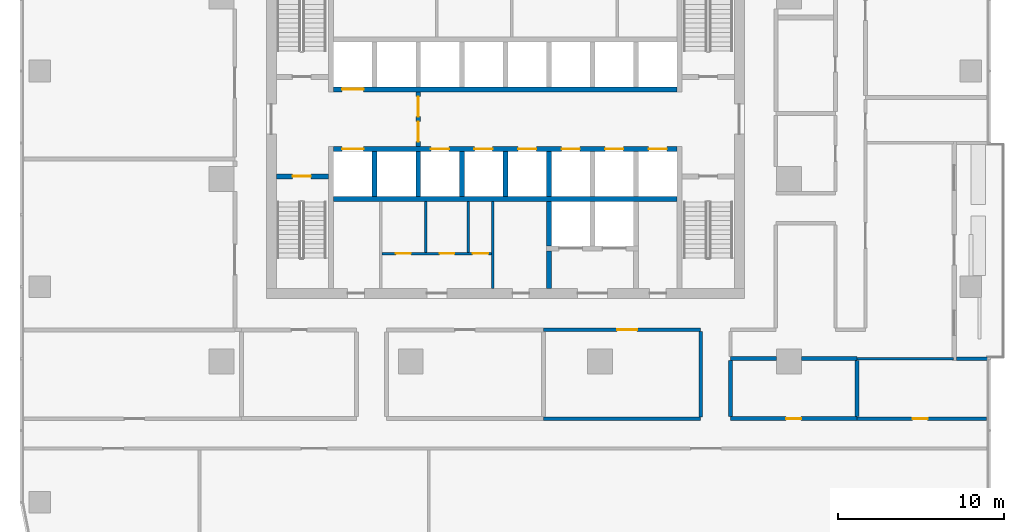
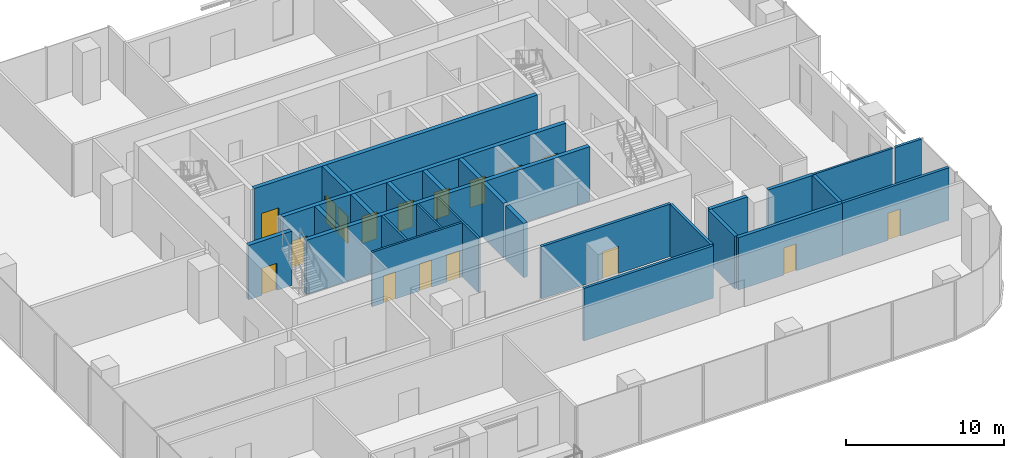
# One storey, part 8 of 14: 27 walls, 17 doors, 17 openings.
"""IFC4 building model written with IfcOpenShell, lengths in metres."""

import ifcopenshell
import ifcopenshell.guid

model = None  # the IFC model being written
_history = None  # IfcOwnerHistory: only IFC2X3 demands one
_inside = {}  # id of a spatial element -> (the spatial element, [elements in it])
_under = {}  # id of a project, library or spatial element -> (it, [spatial elements below it])
_declared = {}  # id of a project -> (the project, [libraries it declares])
_typed = {}  # id of a type object -> (the type object, [elements of that type])
_made_of = {}  # id of a material, layer set ... -> (it, [elements and type objects made of it])


def new_model(schema):
    """Start an empty IFC model of exactly this schema.

    Asked for "IFC4X3", IfcOpenShell would pick the latest addendum, in which some entities
    have other attributes; the version numbers below select the first issue.
    IFC2X3 requires an IfcOwnerHistory on every rooted entity: one is made here for all.
    """
    global model, _history
    if schema == "IFC4X3":
        model = ifcopenshell.file(schema_version=(4, 3, 0, 0))
    else:
        model = ifcopenshell.file(schema=schema)
    _inside.clear()
    _under.clear()
    _declared.clear()
    _typed.clear()
    _made_of.clear()
    _history = None
    if model.schema == "IFC2X3":
        org = make("IfcOrganization", Name="unknown")
        user = make(
            "IfcPersonAndOrganization",
            ThePerson=make("IfcPerson", FamilyName="unknown"),
            TheOrganization=org,
        )
        app = make(
            "IfcApplication",
            ApplicationDeveloper=org,
            Version="unknown",
            ApplicationFullName="unknown",
            ApplicationIdentifier="unknown",
        )
        _history = make(
            "IfcOwnerHistory",
            OwningUser=user,
            OwningApplication=app,
            ChangeAction="ADDED",
            CreationDate=0,
        )
    return model


def make(cls, **values):
    """One entity of the class cls with the attributes given. An attribute that is None is left unset."""
    return model.create_entity(
        cls, **{name: value for name, value in values.items() if value is not None}
    )


def rooted(cls, **values):
    """An entity with a GlobalId (a new one), such as an element, a storey or a relation."""
    return make(cls, GlobalId=ifcopenshell.guid.new(), OwnerHistory=_history, **values)


def si_unit(unit_type, name, prefix=None):
    """IfcSIUnit, for example si_unit("LENGTHUNIT", "METRE", prefix="MILLI")."""
    return make("IfcSIUnit", UnitType=unit_type, Prefix=prefix, Name=name)


def assignment(units):
    """IfcUnitAssignment: the units of a project."""
    return None if units is None else make("IfcUnitAssignment", Units=units)


def point(xyz):
    """IfcCartesianPoint."""
    return None if xyz is None else make("IfcCartesianPoint", Coordinates=xyz)


def direction(xyz):
    """IfcDirection."""
    return None if xyz is None else make("IfcDirection", DirectionRatios=xyz)


def frame(location, z_axis=None, x_axis=None):
    """IfcAxis2Placement3D, a coordinate frame: its origin and axes. An axis left out is left unset."""
    return make(
        "IfcAxis2Placement3D",
        Location=point(location),
        Axis=direction(z_axis),
        RefDirection=direction(x_axis),
    )


def frame_2d(location, x_axis=None):
    """IfcAxis2Placement2D, a coordinate frame in the plane: its origin and x axis."""
    return make(
        "IfcAxis2Placement2D", Location=point(location), RefDirection=direction(x_axis)
    )


def origin():
    """The frame at (0, 0, 0) with its axes left unset."""
    return frame((0.0, 0.0, 0.0))


def place(relative_to, where):
    """IfcLocalPlacement: puts the frame where relative to a parent placement (None: the world)."""
    return make(
        "IfcLocalPlacement", PlacementRelTo=relative_to, RelativePlacement=where
    )


def context(
    kind, dimensions, precision=None, world=None, true_north=None, identifier=None
):
    """IfcGeometricRepresentationContext, for example the 3D "Model" context."""
    return make(
        "IfcGeometricRepresentationContext",
        ContextIdentifier=identifier,
        ContextType=kind,
        CoordinateSpaceDimension=dimensions,
        Precision=precision,
        WorldCoordinateSystem=world,
        TrueNorth=true_north,
    )


def subcontext(parent, identifier, kind, view, scale=None):
    """IfcGeometricRepresentationSubContext, for example "Body" below "Model"."""
    return make(
        "IfcGeometricRepresentationSubContext",
        ContextIdentifier=identifier,
        ContextType=kind,
        ParentContext=parent,
        TargetScale=scale,
        TargetView=view,
    )


def project(units=None, contexts=None):
    """IfcProject with its units and contexts."""
    return rooted(
        "IfcProject",
        Name="project",
        RepresentationContexts=contexts,
        UnitsInContext=assignment(units),
    )


def spatial(cls, under=None, at=None, **own):
    """A site, building, storey or space (cls), placed at a placement, below another one or the project."""
    s = rooted(cls, ObjectPlacement=at, **own)
    if under is not None:
        _under.setdefault(under.id(), (under, []))[1].append(s)
    return s


def profile(cls, at=None, kind="AREA", **sizes):
    """A parametric profile (cls). Its sizes go by their IFC names, for example OverallWidth=200.0."""
    return make(cls, ProfileType=kind, Position=at, **sizes)


def rectangle(**sizes):
    """IfcRectangleProfileDef."""
    return profile("IfcRectangleProfileDef", **sizes)


def extrude(swept, where, along, depth):
    """IfcExtrudedAreaSolid: the profile swept, set in the frame where, extruded along a direction by depth."""
    return make(
        "IfcExtrudedAreaSolid",
        SweptArea=swept,
        Position=where,
        ExtrudedDirection=direction(along),
        Depth=depth,
    )


def shape(context_of_items, identifier, shape_type, items):
    """IfcShapeRepresentation: the items that make up one representation, for example the "Body"."""
    return make(
        "IfcShapeRepresentation",
        ContextOfItems=context_of_items,
        RepresentationIdentifier=identifier,
        RepresentationType=shape_type,
        Items=items,
    )


def material(Name=None, Category=None):
    """IfcMaterial."""
    return make("IfcMaterial", Name=Name, Category=Category)


def layer(
    of_material, thickness, ventilated=None, Name=None, Category=None, Priority=None
):
    """IfcMaterialLayer: one layer of a wall or slab, of a material (None: an air gap)."""
    return make(
        "IfcMaterialLayer",
        Material=of_material,
        LayerThickness=thickness,
        IsVentilated=ventilated,
        Name=Name,
        Category=Category,
        Priority=Priority,
    )


def layer_set(layers, Name=None):
    """IfcMaterialLayerSet."""
    return make("IfcMaterialLayerSet", MaterialLayers=layers, LayerSetName=Name)


def made_of(thing, what):
    """Note that an element or type object is made of a material, layer set ...; save() writes the relation."""
    if what is not None:
        _made_of.setdefault(what.id(), (what, []))[1].append(thing)
    return thing


def type_object(cls, material=None, **own):
    """A type object (cls), such as IfcWallType, which elements share."""
    return made_of(rooted(cls, **own), material)


def element(
    cls,
    number,
    at=None,
    inside=None,
    cuts=None,
    type_object=None,
    material=None,
    context=None,
    identifier="Body",
    shape_type=None,
    held_by="IfcProductDefinitionShape",
    body=None,
    shapes=None,
    **own,
):
    """One element of the class cls, such as IfcWall. Its Tag is "e" and its number.

    at: its placement. inside: the storey or other place that contains it. cuts: it is an
    opening in that element (IfcRelVoidsElement). A single representation is given by context,
    identifier, shape_type and body (its items); several are given by shapes. held_by: the class
    of the entity that holds the representations. save() writes the other relations.
    """
    e = rooted(cls, Tag="e%d" % number, ObjectPlacement=at, **own)
    if body is not None:
        shapes = [shape(context, identifier, shape_type, body)]
    if shapes is not None:
        e.Representation = make(held_by, Representations=shapes)
    if inside is not None:
        _inside.setdefault(inside.id(), (inside, []))[1].append(e)
    if cuts is not None:
        rooted(
            "IfcRelVoidsElement", RelatingBuildingElement=cuts, RelatedOpeningElement=e
        )
    if type_object is not None:
        _typed.setdefault(type_object.id(), (type_object, []))[1].append(e)
    return made_of(e, material)


def fill(opening, filler):
    """IfcRelFillsElement: the door or window that sits in an opening."""
    return rooted(
        "IfcRelFillsElement",
        RelatingOpeningElement=opening,
        RelatedBuildingElement=filler,
    )


def aggregate(whole, parts):
    """IfcRelAggregates: a whole, such as a stair, and the parts it consists of."""
    return rooted("IfcRelAggregates", RelatingObject=whole, RelatedObjects=parts)


def save(model, path):
    """Write the relations noted so far, then the file.

    IfcRelAggregates (storeys below a building ...), IfcRelContainedInSpatialStructure (elements
    in a storey), IfcRelDefinesByType, IfcRelAssociatesMaterial and IfcRelDeclares: one each for
    every whole, place, type object, material and project.
    """
    for whole, parts in _under.values():
        aggregate(whole, parts)
    for where, things in _inside.values():
        rooted(
            "IfcRelContainedInSpatialStructure",
            RelatedElements=things,
            RelatingStructure=where,
        )
    for kind, things in _typed.values():
        rooted("IfcRelDefinesByType", RelatedObjects=things, RelatingType=kind)
    for what, things in _made_of.values():
        rooted("IfcRelAssociatesMaterial", RelatedObjects=things, RelatingMaterial=what)
    for by, libraries in _declared.values():
        rooted("IfcRelDeclares", RelatingContext=by, RelatedDefinitions=libraries)
    model.write(path)


model = new_model("IFC4")

# Units and contexts
model_context = context("Model", 3, precision=1e-05, world=origin(), true_north=direction((0.0, 1.0)))
body_context = subcontext(model_context, "Body", "Model", "MODEL_VIEW")
ifc_project = project(units=[si_unit("LENGTHUNIT", "METRE"), si_unit("AREAUNIT", "SQUARE_METRE"), si_unit("VOLUMEUNIT", "CUBIC_METRE"), si_unit("PLANEANGLEUNIT", "RADIAN"), si_unit("MASSUNIT", "GRAM", prefix="KILO")], contexts=[model_context])

# Site, building, storey
site_placement = place(None, origin())
site = spatial("IfcSite", under=ifc_project, at=site_placement, CompositionType="ELEMENT")
building_placement = place(site_placement, origin())
building = spatial("IfcBuilding", under=site, at=building_placement, Name="Mopane Tessera Tower", CompositionType="ELEMENT")
storey_placement = place(building_placement, frame((0.0, 0.0, 130.60009765625)))
storey = spatial("IfcBuildingStorey", under=building, at=storey_placement, Name="L26", CompositionType="ELEMENT", Elevation=130.60009765625)

# Wall, openings, doors
ifc_material_1 = material(Name="Fire-rated gypsum board partition")
ifc_layer_1 = layer(ifc_material_1, 0.14990234375)
ifc_layer_set_1 = layer_set([ifc_layer_1], Name="Fire-rated gypsum board partition")
wall_type_1 = type_object("IfcWallType", Name="Core room partition 150 mm", PredefinedType="PARTITIONING", material=ifc_layer_set_1)
wall_1_placement = place(storey_placement, frame((-7.425048828125, -4.5, 0.0), z_axis=(0.0, 0.0, 1.0), x_axis=(1.0, 0.0, 0.0)))
wall_1 = element("IfcWall", 1, at=wall_1_placement, inside=storey, type_object=wall_type_1, Name="L26 WC partition", PredefinedType="PARTITIONING", context=body_context, shape_type="SweptSolid", body=[
    extrude(rectangle(XDim=6.60009765625, YDim=0.14990234375, at=frame_2d((3.300048828125, 0.0))), origin(), (0.0, 0.0, 1.0), 4.199951171875),
])
opening_1_placement = place(wall_1_placement, frame((0.824951171875, 0.0, 0.0)))
opening_1 = element("IfcOpeningElement", 2, at=opening_1_placement, cuts=wall_1, Name="Opening WD1", PredefinedType="OPENING", context=body_context, shape_type="SweptSolid", body=[
    extrude(rectangle(XDim=0.89990234375, YDim=2.10009765625, at=frame_2d((0.449951171875, 1.050048828125))), frame((0.0, 0.0869140625, 0.0), z_axis=(0.0, -1.0, 0.0), x_axis=(1.0, 0.0, 0.0)), (0.0, 0.0, 1.0), 0.173828125),
])
opening_2_placement = place(wall_1_placement, frame((3.45751953125, 0.0, 0.0)))
opening_2 = element("IfcOpeningElement", 3, at=opening_2_placement, cuts=wall_1, Name="Opening WD1", PredefinedType="OPENING", context=body_context, shape_type="SweptSolid", body=[
    extrude(rectangle(XDim=0.89990234375, YDim=2.10009765625, at=frame_2d((0.449951171875, 1.050048828125))), frame((0.0, 0.0869140625, 0.0), z_axis=(0.0, -1.0, 0.0), x_axis=(1.0, 0.0, 0.0)), (0.0, 0.0, 1.0), 0.173828125),
])
opening_3_placement = place(wall_1_placement, frame((5.45751953125, 0.0, 0.0)))
opening_3 = element("IfcOpeningElement", 4, at=opening_3_placement, cuts=wall_1, Name="Opening WD2", PredefinedType="OPENING", context=body_context, shape_type="SweptSolid", body=[
    extrude(rectangle(XDim=0.949951171875, YDim=2.10009765625, at=frame_2d((0.47509765625, 1.050048828125))), frame((0.0, 0.0869140625, 0.0), z_axis=(0.0, -1.0, 0.0), x_axis=(1.0, 0.0, 0.0)), (0.0, 0.0, 1.0), 0.173828125),
])
ifc_material_2 = material(Name="Timber door", Category="wood")
door_type_1 = type_object("IfcDoorType", Name="Accessible WC door 950 x 2100", OperationType="SINGLE_SWING_LEFT", PredefinedType="DOOR", material=ifc_material_2)
door_1_placement = place(opening_3_placement, origin())
door_1 = element("IfcDoor", 5, at=door_1_placement, inside=storey, type_object=door_type_1, Name="L26 Accessible WC door", OperationType="SINGLE_SWING_LEFT", OverallHeight=2.10009765625, OverallWidth=0.949951171875, PredefinedType="DOOR", context=body_context, shape_type="SweptSolid", body=[
    extrude(rectangle(XDim=0.949951171875, YDim=2.10009765625, at=frame_2d((0.47509765625, 1.050048828125))), frame((0.0, 0.02490234375, 0.0), z_axis=(0.0, -1.0, 0.0), x_axis=(1.0, 0.0, 0.0)), (0.0, 0.0, 1.0), 0.050048828125),
])
fill(opening_3, door_1)
ifc_material_3 = material(Name="Timber door", Category="wood")
door_type_2 = type_object("IfcDoorType", Name="WC cubicle door 900 x 2100", OperationType="SINGLE_SWING_LEFT", PredefinedType="DOOR", material=ifc_material_3)
door_2_placement = place(opening_1_placement, origin())
door_2 = element("IfcDoor", 6, at=door_2_placement, inside=storey, type_object=door_type_2, Name="L26 Men's WC door", OperationType="SINGLE_SWING_LEFT", OverallHeight=2.10009765625, OverallWidth=0.89990234375, PredefinedType="DOOR", context=body_context, shape_type="SweptSolid", body=[
    extrude(rectangle(XDim=0.89990234375, YDim=2.10009765625, at=frame_2d((0.449951171875, 1.050048828125))), frame((0.0, 0.02490234375, 0.0), z_axis=(0.0, -1.0, 0.0), x_axis=(1.0, 0.0, 0.0)), (0.0, 0.0, 1.0), 0.050048828125),
])
fill(opening_1, door_2)
door_3_placement = place(opening_2_placement, origin())
door_3 = element("IfcDoor", 7, at=door_3_placement, inside=storey, type_object=door_type_2, Name="L26 Women's WC door", OperationType="SINGLE_SWING_LEFT", OverallHeight=2.10009765625, OverallWidth=0.89990234375, PredefinedType="DOOR", context=body_context, shape_type="SweptSolid", body=[
    extrude(rectangle(XDim=0.89990234375, YDim=2.10009765625, at=frame_2d((0.449951171875, 1.050048828125))), frame((0.0, 0.02490234375, 0.0), z_axis=(0.0, -1.0, 0.0), x_axis=(1.0, 0.0, 0.0)), (0.0, 0.0, 1.0), 0.050048828125),
])
fill(opening_2, door_3)

# Walls
for number, where, z_axis, x_axis, name in (
    (8, (-4.800048828125, -4.425048828125, 0.0), (0.0, 0.0, 1.0), (0.0, 1.0, 0.0), "L26 WC partition"),
    (9, (-2.235107421875, -4.425048828125, 0.0), (0.0, 0.0, 1.0), (0.0, 1.0, 0.0), "L26 WC partition"),
):
    element("IfcWall", number, at=place(storey_placement, frame(where, z_axis=z_axis, x_axis=x_axis)), inside=storey, type_object=wall_type_1, Name=name, PredefinedType="PARTITIONING", context=body_context, shape_type="SweptSolid", body=[
        extrude(rectangle(XDim=3.074951171875, YDim=0.14990234375, at=frame_2d((1.53759765625, 0.0))), origin(), (0.0, 0.0, 1.0), 4.199951171875),
    ])
wall_2_placement = place(storey_placement, frame((-0.75, -6.60009765625, 0.0), z_axis=(0.0, 0.0, 1.0), x_axis=(0.0, 1.0, 0.0)))
element("IfcWall", 10, at=wall_2_placement, inside=storey, type_object=wall_type_1, Name="L26 Room partition", PredefinedType="PARTITIONING", context=body_context, shape_type="SweptSolid", body=[
    extrude(rectangle(XDim=5.25, YDim=0.14990234375, at=frame_2d((2.625, 0.0))), origin(), (0.0, 0.0, 1.0), 4.199951171875),
])
ifc_material_4 = material(Name="Gypsum board on steel studs, two layers each face, mineral wool infill", Category="steel")
ifc_layer_2 = layer(ifc_material_4, 0.199951171875)
ifc_layer_set_2 = layer_set([ifc_layer_2], Name="Gypsum board on steel studs, two layers each face, mineral wool infill")
wall_type_2 = type_object("IfcWallType", Name="Gypsum board corridor wall 200, rated EI 60", PredefinedType="PARTITIONING", material=ifc_layer_set_2)
wall_3_placement = place(storey_placement, frame((2.300048828125, -14.449951171875, 0.0), z_axis=(0.0, 0.0, 1.0), x_axis=(1.0, 0.0, 0.0)))
element("IfcWall", 11, at=wall_3_placement, inside=storey, type_object=wall_type_2, Name="Partition L26:002", PredefinedType="PARTITIONING", context=body_context, shape_type="SweptSolid", body=[
    extrude(rectangle(XDim=9.469970703125, YDim=0.199951171875, at=frame_2d((4.73486328125, 0.0))), origin(), (0.0, 0.0, 1.0), 4.0498046875),
])

# Wall, opening, door
wall_4_placement = place(storey_placement, frame((21.18505859375, -14.449951171875, 0.0), z_axis=(0.0, 0.0, 1.0), x_axis=(1.0, 0.0, 0.0)))
wall_4 = element("IfcWall", 12, at=wall_4_placement, inside=storey, type_object=wall_type_2, Name="Partition L26:003", PredefinedType="PARTITIONING", context=body_context, shape_type="SweptSolid", body=[
    extrude(rectangle(XDim=7.81494140625, YDim=0.199951171875, at=frame_2d((3.907470703125, 0.0))), origin(), (0.0, 0.0, 1.0), 4.0498046875),
])
opening_4_placement = place(wall_4_placement, frame((3.357421875, 0.0, 0.0)))
opening_4 = element("IfcOpeningElement", 13, at=opening_4_placement, cuts=wall_4, Name="Opening L26-09", PredefinedType="OPENING", context=body_context, shape_type="SweptSolid", body=[
    extrude(rectangle(XDim=0.89990234375, YDim=2.10009765625, at=frame_2d((0.449951171875, 1.050048828125))), frame((0.0, 0.112060546875, 0.0), z_axis=(0.0, -1.0, 0.0), x_axis=(1.0, 0.0, 0.0)), (0.0, 0.0, 1.0), 0.223876953125),
])
ifc_material_5 = material(Name="Timber veneered steel-framed fire door", Category="steel")
door_type_3 = type_object("IfcDoorType", Name="Fire door FD60 900 x 2100", OperationType="SINGLE_SWING_LEFT", PredefinedType="DOOR", material=ifc_material_5)
door_4_placement = place(opening_4_placement, origin())
door_4 = element("IfcDoor", 14, at=door_4_placement, inside=storey, type_object=door_type_3, Name="Door L26-09", ObjectType="D10A", OperationType="SINGLE_SWING_RIGHT", OverallHeight=2.10009765625, OverallWidth=0.89990234375, PredefinedType="DOOR", context=body_context, shape_type="SweptSolid", body=[
    extrude(rectangle(XDim=0.89990234375, YDim=2.10009765625, at=frame_2d((0.449951171875, 1.050048828125))), frame((0.0, 0.02490234375, 0.0), z_axis=(0.0, -1.0, 0.0), x_axis=(1.0, 0.0, 0.0)), (0.0, 0.0, 1.0), 0.050048828125),
])
fill(opening_4, door_4)

wall_5_placement = place(storey_placement, frame((2.300048828125, -9.10009765625, 0.0), z_axis=(0.0, 0.0, 1.0), x_axis=(1.0, 0.0, 0.0)))
wall_5 = element("IfcWall", 15, at=wall_5_placement, inside=storey, type_object=wall_type_2, Name="Partition L26:011", PredefinedType="PARTITIONING", context=body_context, shape_type="SweptSolid", body=[
    extrude(rectangle(XDim=9.469970703125, YDim=0.199951171875, at=frame_2d((4.73486328125, 0.0))), origin(), (0.0, 0.0, 1.0), 4.0498046875),
])
opening_5_placement = place(wall_5_placement, frame((4.43505859375, 0.0, 0.0)))
opening_5 = element("IfcOpeningElement", 16, at=opening_5_placement, cuts=wall_5, Name="Opening L26-20", PredefinedType="OPENING", context=body_context, shape_type="SweptSolid", body=[
    extrude(rectangle(XDim=1.199951171875, YDim=2.10009765625, at=frame_2d((0.60009765625, 1.050048828125))), frame((0.0, 0.112060546875, 0.0), z_axis=(0.0, -1.0, 0.0), x_axis=(1.0, 0.0, 0.0)), (0.0, 0.0, 1.0), 0.223876953125),
])
ifc_material_6 = material(Name="Timber veneered steel-framed fire door", Category="steel")
door_type_4 = type_object("IfcDoorType", Name="Fire door FD60 1200 x 2100", OperationType="SINGLE_SWING_LEFT", PredefinedType="DOOR", material=ifc_material_6)
door_5_placement = place(opening_5_placement, origin())
door_5 = element("IfcDoor", 17, at=door_5_placement, inside=storey, type_object=door_type_4, Name="Door L26-20", ObjectType="D15A", OperationType="SINGLE_SWING_RIGHT", OverallHeight=2.10009765625, OverallWidth=1.199951171875, PredefinedType="DOOR", context=body_context, shape_type="SweptSolid", body=[
    extrude(rectangle(XDim=1.199951171875, YDim=2.10009765625, at=frame_2d((0.60009765625, 1.050048828125))), frame((0.0, 0.02490234375, 0.0), z_axis=(0.0, -1.0, 0.0), x_axis=(1.0, 0.0, 0.0)), (0.0, 0.0, 1.0), 0.050048828125),
])
fill(opening_5, door_5)

# Walls
wall_6_placement = place(storey_placement, frame((11.77001953125, -14.35009765625, 0.0), z_axis=(0.0, 0.0, 1.0), x_axis=(0.0, 1.0, 0.0)))
element("IfcWall", 18, at=wall_6_placement, inside=storey, type_object=wall_type_2, Name="Partition L26:046", PredefinedType="PARTITIONING", context=body_context, shape_type="SweptSolid", body=[
    extrude(rectangle(XDim=5.150146484375, YDim=0.199951171875, at=frame_2d((2.5751953125, 0.0))), origin(), (0.0, 0.0, 1.0), 4.0498046875),
])
ifc_material_7 = material(Name="Gypsum board on steel studs, mineral wool infill", Category="steel")
ifc_layer_3 = layer(ifc_material_7, 0.14990234375)
ifc_layer_set_3 = layer_set([ifc_layer_3], Name="Gypsum board on steel studs, mineral wool infill")
wall_type_3 = type_object("IfcWallType", Name="Gypsum board partition 150, rated EI 60", PredefinedType="PARTITIONING", material=ifc_layer_set_3)
wall_7_placement = place(storey_placement, frame((21.18505859375, -10.8349609375, 0.0), z_axis=(0.0, 0.0, 1.0), x_axis=(1.0, 0.0, 0.0)))
element("IfcWall", 19, at=wall_7_placement, inside=storey, type_object=wall_type_3, Name="Partition L26:007", PredefinedType="PARTITIONING", context=body_context, shape_type="SweptSolid", body=[
    extrude(rectangle(XDim=5.81494140625, YDim=0.14990234375, at=frame_2d((2.907470703125, 0.0))), origin(), (0.0, 0.0, 1.0), 4.0498046875),
])

# Wall, opening, door
ifc_material_8 = material(Name="Concrete C50/60", Category="concrete")
ifc_layer_4 = layer(ifc_material_8, 0.300048828125)
ifc_layer_set_4 = layer_set([ifc_layer_4], Name="Concrete C50/60")
wall_type_4 = type_object("IfcWallType", Name="Lift and stair shaft wall 300 mm", PredefinedType="SOLIDWALL", material=ifc_layer_set_4)
wall_8_placement = place(storey_placement, frame((-13.800048828125, 0.14990234375, 0.0), z_axis=(0.0, 0.0, 1.0), x_axis=(1.0, 0.0, 0.0)))
wall_8 = element("IfcWall", 20, at=wall_8_placement, inside=storey, type_object=wall_type_4, Name="L26 Stair enclosure wall", PredefinedType="SOLIDWALL", context=body_context, shape_type="SweptSolid", body=[
    extrude(rectangle(XDim=3.150146484375, YDim=0.300048828125, at=frame_2d((1.5751953125, 0.0))), origin(), (0.0, 0.0, 1.0), 4.199951171875),
])
opening_6_placement = place(wall_8_placement, frame((0.97509765625, 0.0, 0.0)))
opening_6 = element("IfcOpeningElement", 21, at=opening_6_placement, cuts=wall_8, Name="Opening SD1", PredefinedType="OPENING", context=body_context, shape_type="SweptSolid", body=[
    extrude(rectangle(XDim=1.10009765625, YDim=2.10009765625, at=frame_2d((0.550048828125, 1.050048828125))), frame((0.0, 0.162109375, 0.0), z_axis=(0.0, -1.0, 0.0), x_axis=(1.0, 0.0, 0.0)), (0.0, 0.0, 1.0), 0.323974609375),
])
ifc_material_9 = material(Name="Steel fire door", Category="steel")
door_type_5 = type_object("IfcDoorType", Name="Stair fire door 1100 x 2100", OperationType="SINGLE_SWING_LEFT", PredefinedType="DOOR", material=ifc_material_9)
door_6_placement = place(opening_6_placement, origin())
door_6 = element("IfcDoor", 22, at=door_6_placement, inside=storey, type_object=door_type_5, Name="L26 Stair door ST1", OperationType="SINGLE_SWING_LEFT", OverallHeight=2.10009765625, OverallWidth=1.10009765625, PredefinedType="DOOR", context=body_context, shape_type="SweptSolid", body=[
    extrude(rectangle(XDim=1.10009765625, YDim=2.10009765625, at=frame_2d((0.550048828125, 1.050048828125))), frame((0.0, 0.02490234375, 0.0), z_axis=(0.0, -1.0, 0.0), x_axis=(1.0, 0.0, 0.0)), (0.0, 0.0, 1.0), 0.050048828125),
])
fill(opening_6, door_6)

# Wall
wall_9_placement = place(storey_placement, frame((-10.35009765625, -1.199951171875, 0.0), z_axis=(0.0, 0.0, 1.0), x_axis=(1.0, 0.0, 0.0)))
element("IfcWall", 23, at=wall_9_placement, inside=storey, type_object=wall_type_4, Name="L26 Lift shaft rear wall", PredefinedType="SOLIDWALL", context=body_context, shape_type="SweptSolid", body=[
    extrude(rectangle(XDim=20.7001953125, YDim=0.300048828125, at=frame_2d((10.35009765625, 0.0))), origin(), (0.0, 0.0, 1.0), 4.199951171875),
])

# Wall, openings, doors
wall_10_placement = place(storey_placement, frame((-10.35009765625, 1.800048828125, 0.0), z_axis=(0.0, 0.0, 1.0), x_axis=(1.0, 0.0, 0.0)))
wall_10 = element("IfcWall", 24, at=wall_10_placement, inside=storey, type_object=wall_type_4, Name="L26 Lift shaft front wall", PredefinedType="SOLIDWALL", context=body_context, shape_type="SweptSolid", body=[
    extrude(rectangle(XDim=20.7001953125, YDim=0.300048828125, at=frame_2d((10.35009765625, 0.0))), origin(), (0.0, 0.0, 1.0), 4.199951171875),
])
opening_7_placement = place(wall_10_placement, frame((0.512451171875, 0.0, 0.0)))
opening_7 = element("IfcOpeningElement", 25, at=opening_7_placement, cuts=wall_10, Name="Opening LD2", PredefinedType="OPENING", context=body_context, shape_type="SweptSolid", body=[
    extrude(rectangle(XDim=1.300048828125, YDim=2.10009765625, at=frame_2d((0.64990234375, 1.050048828125))), frame((0.0, 0.162109375, 0.0), z_axis=(0.0, -1.0, 0.0), x_axis=(1.0, 0.0, 0.0)), (0.0, 0.0, 1.0), 0.323974609375),
])
opening_8_placement = place(wall_10_placement, frame((5.862548828125, 0.0, 0.0)))
opening_8 = element("IfcOpeningElement", 26, at=opening_8_placement, cuts=wall_10, Name="Opening LD", PredefinedType="OPENING", context=body_context, shape_type="SweptSolid", body=[
    extrude(rectangle(XDim=1.10009765625, YDim=2.10009765625, at=frame_2d((0.550048828125, 1.050048828125))), frame((0.0, 0.162109375, 0.0), z_axis=(0.0, -1.0, 0.0), x_axis=(1.0, 0.0, 0.0)), (0.0, 0.0, 1.0), 0.323974609375),
])
opening_9_placement = place(wall_10_placement, frame((8.487548828125, 0.0, 0.0)))
opening_9 = element("IfcOpeningElement", 27, at=opening_9_placement, cuts=wall_10, Name="Opening LD", PredefinedType="OPENING", context=body_context, shape_type="SweptSolid", body=[
    extrude(rectangle(XDim=1.10009765625, YDim=2.10009765625, at=frame_2d((0.550048828125, 1.050048828125))), frame((0.0, 0.162109375, 0.0), z_axis=(0.0, -1.0, 0.0), x_axis=(1.0, 0.0, 0.0)), (0.0, 0.0, 1.0), 0.323974609375),
])
opening_10_placement = place(wall_10_placement, frame((11.112548828125, 0.0, 0.0)))
opening_10 = element("IfcOpeningElement", 28, at=opening_10_placement, cuts=wall_10, Name="Opening LD", PredefinedType="OPENING", context=body_context, shape_type="SweptSolid", body=[
    extrude(rectangle(XDim=1.10009765625, YDim=2.10009765625, at=frame_2d((0.550048828125, 1.050048828125))), frame((0.0, 0.162109375, 0.0), z_axis=(0.0, -1.0, 0.0), x_axis=(1.0, 0.0, 0.0)), (0.0, 0.0, 1.0), 0.323974609375),
])
opening_11_placement = place(wall_10_placement, frame((13.737548828125, 0.0, 0.0)))
opening_11 = element("IfcOpeningElement", 29, at=opening_11_placement, cuts=wall_10, Name="Opening LD", PredefinedType="OPENING", context=body_context, shape_type="SweptSolid", body=[
    extrude(rectangle(XDim=1.10009765625, YDim=2.10009765625, at=frame_2d((0.550048828125, 1.050048828125))), frame((0.0, 0.162109375, 0.0), z_axis=(0.0, -1.0, 0.0), x_axis=(1.0, 0.0, 0.0)), (0.0, 0.0, 1.0), 0.323974609375),
])
opening_12_placement = place(wall_10_placement, frame((16.362548828125, 0.0, 0.0)))
opening_12 = element("IfcOpeningElement", 30, at=opening_12_placement, cuts=wall_10, Name="Opening LD", PredefinedType="OPENING", context=body_context, shape_type="SweptSolid", body=[
    extrude(rectangle(XDim=1.10009765625, YDim=2.10009765625, at=frame_2d((0.550048828125, 1.050048828125))), frame((0.0, 0.162109375, 0.0), z_axis=(0.0, -1.0, 0.0), x_axis=(1.0, 0.0, 0.0)), (0.0, 0.0, 1.0), 0.323974609375),
])
opening_13_placement = place(wall_10_placement, frame((18.987548828125, 0.0, 0.0)))
opening_13 = element("IfcOpeningElement", 31, at=opening_13_placement, cuts=wall_10, Name="Opening LD", PredefinedType="OPENING", context=body_context, shape_type="SweptSolid", body=[
    extrude(rectangle(XDim=1.10009765625, YDim=2.10009765625, at=frame_2d((0.550048828125, 1.050048828125))), frame((0.0, 0.162109375, 0.0), z_axis=(0.0, -1.0, 0.0), x_axis=(1.0, 0.0, 0.0)), (0.0, 0.0, 1.0), 0.323974609375),
])
ifc_material_10 = material(Name="Stainless steel sliding door", Category="steel")
door_type_6 = type_object("IfcDoorType", Name="Fire-fighting lift landing door 1300 x 2100", OperationType="DOUBLE_DOOR_SLIDING", PredefinedType="DOOR", material=ifc_material_10)
door_7_placement = place(opening_7_placement, origin())
door_7 = element("IfcDoor", 32, at=door_7_placement, inside=storey, type_object=door_type_6, Name="L26 Lift landing door FF1", OperationType="DOUBLE_DOOR_SLIDING", OverallHeight=2.10009765625, OverallWidth=1.300048828125, PredefinedType="DOOR", context=body_context, shape_type="SweptSolid", body=[
    extrude(rectangle(XDim=1.300048828125, YDim=2.10009765625, at=frame_2d((0.64990234375, 1.050048828125))), frame((0.0, 0.02490234375, 0.0), z_axis=(0.0, -1.0, 0.0), x_axis=(1.0, 0.0, 0.0)), (0.0, 0.0, 1.0), 0.050048828125),
])
fill(opening_7, door_7)
ifc_material_11 = material(Name="Stainless steel sliding door", Category="steel")
door_type_7 = type_object("IfcDoorType", Name="Lift landing door 1100 x 2100", OperationType="DOUBLE_DOOR_SLIDING", PredefinedType="DOOR", material=ifc_material_11)
door_8_placement = place(opening_8_placement, origin())
door_8 = element("IfcDoor", 33, at=door_8_placement, inside=storey, type_object=door_type_7, Name="L26 Lift landing door LR1", OperationType="DOUBLE_DOOR_SLIDING", OverallHeight=2.10009765625, OverallWidth=1.10009765625, PredefinedType="DOOR", context=body_context, shape_type="SweptSolid", body=[
    extrude(rectangle(XDim=1.10009765625, YDim=2.10009765625, at=frame_2d((0.550048828125, 1.050048828125))), frame((0.0, 0.02490234375, 0.0), z_axis=(0.0, -1.0, 0.0), x_axis=(1.0, 0.0, 0.0)), (0.0, 0.0, 1.0), 0.050048828125),
])
fill(opening_8, door_8)
door_9_placement = place(opening_9_placement, origin())
door_9 = element("IfcDoor", 34, at=door_9_placement, inside=storey, type_object=door_type_7, Name="L26 Lift landing door LR2", OperationType="DOUBLE_DOOR_SLIDING", OverallHeight=2.10009765625, OverallWidth=1.10009765625, PredefinedType="DOOR", context=body_context, shape_type="SweptSolid", body=[
    extrude(rectangle(XDim=1.10009765625, YDim=2.10009765625, at=frame_2d((0.550048828125, 1.050048828125))), frame((0.0, 0.02490234375, 0.0), z_axis=(0.0, -1.0, 0.0), x_axis=(1.0, 0.0, 0.0)), (0.0, 0.0, 1.0), 0.050048828125),
])
fill(opening_9, door_9)
door_10_placement = place(opening_10_placement, origin())
door_10 = element("IfcDoor", 35, at=door_10_placement, inside=storey, type_object=door_type_7, Name="L26 Lift landing door LR3", OperationType="DOUBLE_DOOR_SLIDING", OverallHeight=2.10009765625, OverallWidth=1.10009765625, PredefinedType="DOOR", context=body_context, shape_type="SweptSolid", body=[
    extrude(rectangle(XDim=1.10009765625, YDim=2.10009765625, at=frame_2d((0.550048828125, 1.050048828125))), frame((0.0, 0.02490234375, 0.0), z_axis=(0.0, -1.0, 0.0), x_axis=(1.0, 0.0, 0.0)), (0.0, 0.0, 1.0), 0.050048828125),
])
fill(opening_10, door_10)
door_11_placement = place(opening_11_placement, origin())
door_11 = element("IfcDoor", 36, at=door_11_placement, inside=storey, type_object=door_type_7, Name="L26 Lift landing door LR4", OperationType="DOUBLE_DOOR_SLIDING", OverallHeight=2.10009765625, OverallWidth=1.10009765625, PredefinedType="DOOR", context=body_context, shape_type="SweptSolid", body=[
    extrude(rectangle(XDim=1.10009765625, YDim=2.10009765625, at=frame_2d((0.550048828125, 1.050048828125))), frame((0.0, 0.02490234375, 0.0), z_axis=(0.0, -1.0, 0.0), x_axis=(1.0, 0.0, 0.0)), (0.0, 0.0, 1.0), 0.050048828125),
])
fill(opening_11, door_11)
door_12_placement = place(opening_12_placement, origin())
door_12 = element("IfcDoor", 37, at=door_12_placement, inside=storey, type_object=door_type_7, Name="L26 Lift landing door LR5", OperationType="DOUBLE_DOOR_SLIDING", OverallHeight=2.10009765625, OverallWidth=1.10009765625, PredefinedType="DOOR", context=body_context, shape_type="SweptSolid", body=[
    extrude(rectangle(XDim=1.10009765625, YDim=2.10009765625, at=frame_2d((0.550048828125, 1.050048828125))), frame((0.0, 0.02490234375, 0.0), z_axis=(0.0, -1.0, 0.0), x_axis=(1.0, 0.0, 0.0)), (0.0, 0.0, 1.0), 0.050048828125),
])
fill(opening_12, door_12)
door_13_placement = place(opening_13_placement, origin())
door_13 = element("IfcDoor", 38, at=door_13_placement, inside=storey, type_object=door_type_7, Name="L26 Lift landing door LR6", OperationType="DOUBLE_DOOR_SLIDING", OverallHeight=2.10009765625, OverallWidth=1.10009765625, PredefinedType="DOOR", context=body_context, shape_type="SweptSolid", body=[
    extrude(rectangle(XDim=1.10009765625, YDim=2.10009765625, at=frame_2d((0.550048828125, 1.050048828125))), frame((0.0, 0.02490234375, 0.0), z_axis=(0.0, -1.0, 0.0), x_axis=(1.0, 0.0, 0.0)), (0.0, 0.0, 1.0), 0.050048828125),
])
fill(opening_13, door_13)

# Wall, opening, door
wall_11_placement = place(storey_placement, frame((-10.35009765625, 5.39990234375, 0.0), z_axis=(0.0, 0.0, 1.0), x_axis=(1.0, 0.0, 0.0)))
wall_11 = element("IfcWall", 39, at=wall_11_placement, inside=storey, type_object=wall_type_4, Name="L26 Lift shaft front wall", PredefinedType="SOLIDWALL", context=body_context, shape_type="SweptSolid", body=[
    extrude(rectangle(XDim=20.7001953125, YDim=0.300048828125, at=frame_2d((10.35009765625, 0.0))), origin(), (0.0, 0.0, 1.0), 4.199951171875),
])
opening_14_placement = place(wall_11_placement, frame((0.512451171875, 0.0, 0.0)))
opening_14 = element("IfcOpeningElement", 40, at=opening_14_placement, cuts=wall_11, Name="Opening LD2", PredefinedType="OPENING", context=body_context, shape_type="SweptSolid", body=[
    extrude(rectangle(XDim=1.300048828125, YDim=2.10009765625, at=frame_2d((0.64990234375, 1.050048828125))), frame((0.0, 0.162109375, 0.0), z_axis=(0.0, -1.0, 0.0), x_axis=(1.0, 0.0, 0.0)), (0.0, 0.0, 1.0), 0.323974609375),
])
door_14_placement = place(opening_14_placement, origin())
door_14 = element("IfcDoor", 41, at=door_14_placement, inside=storey, type_object=door_type_6, Name="L26 Lift landing door FF2", OperationType="DOUBLE_DOOR_SLIDING", OverallHeight=2.10009765625, OverallWidth=1.300048828125, PredefinedType="DOOR", context=body_context, shape_type="SweptSolid", body=[
    extrude(rectangle(XDim=1.300048828125, YDim=2.10009765625, at=frame_2d((0.64990234375, 1.050048828125))), frame((0.0, 0.02490234375, 0.0), z_axis=(0.0, -1.0, 0.0), x_axis=(1.0, 0.0, 0.0)), (0.0, 0.0, 1.0), 0.050048828125),
])
fill(opening_14, door_14)

# Walls
for number, where, z_axis, x_axis, name in (
    (42, (-7.875, -1.050048828125, 0.0), (0.0, 0.0, 1.0), (0.0, 1.0, 0.0), "L26 Lift shaft wall"),
    (43, (-5.25, -1.050048828125, 0.0), (0.0, 0.0, 1.0), (0.0, 1.0, 0.0), "L26 Lift shaft wall"),
    (44, (-2.625, -1.050048828125, 0.0), (0.0, 0.0, 1.0), (0.0, 1.0, 0.0), "L26 Lift shaft wall"),
    (45, (0.0, -1.050048828125, 0.0), (0.0, 0.0, 1.0), (0.0, 1.0, 0.0), "L26 Lift shaft wall"),
    (46, (2.625, -1.050048828125, 0.0), (0.0, 0.0, 1.0), (0.0, 1.0, 0.0), "L26 Lift shaft wall"),
    (47, (2.625, -4.050048828125, 0.0), (0.0, 0.0, 1.0), (0.0, 1.0, 0.0), "L26 Lift shaft wall"),
):
    element("IfcWall", number, at=place(storey_placement, frame(where, z_axis=z_axis, x_axis=x_axis)), inside=storey, type_object=wall_type_4, Name=name, PredefinedType="SOLIDWALL", context=body_context, shape_type="SweptSolid", body=[
        extrude(rectangle(XDim=2.699951171875, YDim=0.300048828125, at=frame_2d((1.35009765625, 0.0))), origin(), (0.0, 0.0, 1.0), 4.199951171875),
    ])

# Wall, openings, doors
ifc_material_12 = material(Name="Concrete C50/60", Category="concrete")
ifc_layer_5 = layer(ifc_material_12, 0.300048828125)
ifc_layer_set_5 = layer_set([ifc_layer_5], Name="Concrete C50/60")
wall_type_5 = type_object("IfcWallType", Name="Lobby and refuge room wall 300 mm", PredefinedType="SOLIDWALL", material=ifc_layer_set_5)
wall_12_placement = place(storey_placement, frame((-5.25, 1.949951171875, 0.0), z_axis=(0.0, 0.0, 1.0), x_axis=(0.0, 1.0, 0.0)))
wall_12 = element("IfcWall", 48, at=wall_12_placement, inside=storey, type_object=wall_type_5, Name="L26 Fire-fighting lobby wall", PredefinedType="SOLIDWALL", context=body_context, shape_type="SweptSolid", body=[
    extrude(rectangle(XDim=3.300048828125, YDim=0.300048828125, at=frame_2d((1.64990234375, 0.0))), origin(), (0.0, 0.0, 1.0), 4.199951171875),
])
opening_15_placement = place(wall_12_placement, frame((0.300048828125, 0.0, 0.0)))
opening_15 = element("IfcOpeningElement", 49, at=opening_15_placement, cuts=wall_12, Name="Opening SD3", PredefinedType="OPENING", context=body_context, shape_type="SweptSolid", body=[
    extrude(rectangle(XDim=1.199951171875, YDim=2.10009765625, at=frame_2d((0.60009765625, 1.050048828125))), frame((0.0, 0.162109375, 0.0), z_axis=(0.0, -1.0, 0.0), x_axis=(1.0, 0.0, 0.0)), (0.0, 0.0, 1.0), 0.323974609375),
])
opening_16_placement = place(wall_12_placement, frame((1.800048828125, 0.0, 0.0)))
opening_16 = element("IfcOpeningElement", 50, at=opening_16_placement, cuts=wall_12, Name="Opening SD3", PredefinedType="OPENING", context=body_context, shape_type="SweptSolid", body=[
    extrude(rectangle(XDim=1.199951171875, YDim=2.10009765625, at=frame_2d((0.60009765625, 1.050048828125))), frame((0.0, 0.162109375, 0.0), z_axis=(0.0, -1.0, 0.0), x_axis=(1.0, 0.0, 0.0)), (0.0, 0.0, 1.0), 0.323974609375),
])
ifc_material_13 = material(Name="Steel fire door", Category="steel")
door_type_8 = type_object("IfcDoorType", Name="Lobby fire door 1200 x 2100", OperationType="SINGLE_SWING_LEFT", PredefinedType="DOOR", material=ifc_material_13)
door_15_placement = place(opening_15_placement, origin())
door_15 = element("IfcDoor", 51, at=door_15_placement, inside=storey, type_object=door_type_8, Name="L26 Fire-fighting lobby door", OperationType="SINGLE_SWING_LEFT", OverallHeight=2.10009765625, OverallWidth=1.199951171875, PredefinedType="DOOR", context=body_context, shape_type="SweptSolid", body=[
    extrude(rectangle(XDim=1.199951171875, YDim=2.10009765625, at=frame_2d((0.60009765625, 1.050048828125))), frame((0.0, 0.02490234375, 0.0), z_axis=(0.0, -1.0, 0.0), x_axis=(1.0, 0.0, 0.0)), (0.0, 0.0, 1.0), 0.050048828125),
])
fill(opening_15, door_15)
door_16_placement = place(opening_16_placement, origin())
door_16 = element("IfcDoor", 52, at=door_16_placement, inside=storey, type_object=door_type_8, Name="L26 Fire-fighting lobby door", OperationType="SINGLE_SWING_RIGHT", OverallHeight=2.10009765625, OverallWidth=1.199951171875, PredefinedType="DOOR", context=body_context, shape_type="SweptSolid", body=[
    extrude(rectangle(XDim=1.199951171875, YDim=2.10009765625, at=frame_2d((0.60009765625, 1.050048828125))), frame((0.0, 0.02490234375, 0.0), z_axis=(0.0, -1.0, 0.0), x_axis=(1.0, 0.0, 0.0)), (0.0, 0.0, 1.0), 0.050048828125),
])
fill(opening_16, door_16)

# Wall
wall_13_placement = place(storey_placement, frame((2.625, -6.60009765625, 0.0), z_axis=(0.0, 0.0, 1.0), x_axis=(0.0, 1.0, 0.0)))
element("IfcWall", 53, at=wall_13_placement, inside=storey, type_object=wall_type_5, Name="L26 Service lobby wall", PredefinedType="SOLIDWALL", context=body_context, shape_type="SweptSolid", body=[
    extrude(rectangle(XDim=2.25, YDim=0.300048828125, at=frame_2d((1.125, 0.0))), origin(), (0.0, 0.0, 1.0), 4.199951171875),
])

# Wall, opening, door
ifc_material_14 = material(Name="Plastered concrete blockwork C20/25", Category="masonry")
ifc_layer_6 = layer(ifc_material_14, 0.25)
ifc_layer_set_6 = layer_set([ifc_layer_6], Name="Plastered concrete blockwork C20/25")
wall_type_6 = type_object("IfcWallType", Name="Plastered blockwork wall 250, rated EI 120", PredefinedType="PARTITIONING", material=ifc_layer_set_6)
wall_14_placement = place(storey_placement, frame((13.570068359375, -14.449951171875, 0.0), z_axis=(0.0, 0.0, 1.0), x_axis=(1.0, 0.0, 0.0)))
wall_14 = element("IfcWall", 54, at=wall_14_placement, inside=storey, type_object=wall_type_6, Name="Partition L26:006", PredefinedType="PARTITIONING", context=body_context, shape_type="SweptSolid", body=[
    extrude(rectangle(XDim=7.614990234375, YDim=0.25, at=frame_2d((3.8076171875, 0.0))), origin(), (0.0, 0.0, 1.0), 4.0498046875),
])
opening_17_placement = place(wall_14_placement, frame((3.357421875, 0.0, 0.0)))
opening_17 = element("IfcOpeningElement", 55, at=opening_17_placement, cuts=wall_14, Name="Opening L26-17", PredefinedType="OPENING", context=body_context, shape_type="SweptSolid", body=[
    extrude(rectangle(XDim=0.89990234375, YDim=2.10009765625, at=frame_2d((0.449951171875, 1.050048828125))), frame((0.0, 0.136962890625, 0.0), z_axis=(0.0, -1.0, 0.0), x_axis=(1.0, 0.0, 0.0)), (0.0, 0.0, 1.0), 0.27392578125),
])
ifc_material_15 = material(Name="Timber veneered steel-framed fire door", Category="steel")
door_type_9 = type_object("IfcDoorType", Name="Fire door FD120 900 x 2100", OperationType="SINGLE_SWING_LEFT", PredefinedType="DOOR", material=ifc_material_15)
door_17_placement = place(opening_17_placement, origin())
door_17 = element("IfcDoor", 56, at=door_17_placement, inside=storey, type_object=door_type_9, Name="Door L26-17", ObjectType="D10B", OperationType="SINGLE_SWING_LEFT", OverallHeight=2.10009765625, OverallWidth=0.89990234375, PredefinedType="DOOR", context=body_context, shape_type="SweptSolid", body=[
    extrude(rectangle(XDim=0.89990234375, YDim=2.10009765625, at=frame_2d((0.449951171875, 1.050048828125))), frame((0.0, 0.02490234375, 0.0), z_axis=(0.0, -1.0, 0.0), x_axis=(1.0, 0.0, 0.0)), (0.0, 0.0, 1.0), 0.050048828125),
])
fill(opening_17, door_17)

# Walls
wall_15_placement = place(storey_placement, frame((13.570068359375, -10.8349609375, 0.0), z_axis=(0.0, 0.0, 1.0), x_axis=(1.0, 0.0, 0.0)))
element("IfcWall", 57, at=wall_15_placement, inside=storey, type_object=wall_type_6, Name="Partition L26:008", PredefinedType="PARTITIONING", context=body_context, shape_type="SweptSolid", body=[
    extrude(rectangle(XDim=2.780029296875, YDim=0.25, at=frame_2d((1.39013671875, 0.0))), origin(), (0.0, 0.0, 1.0), 4.0498046875),
])
wall_16_placement = place(storey_placement, frame((17.85009765625, -10.8349609375, 0.0), z_axis=(0.0, 0.0, 1.0), x_axis=(1.0, 0.0, 0.0)))
element("IfcWall", 58, at=wall_16_placement, inside=storey, type_object=wall_type_6, Name="Partition L26:009", PredefinedType="PARTITIONING", context=body_context, shape_type="SweptSolid", body=[
    extrude(rectangle(XDim=3.3349609375, YDim=0.25, at=frame_2d((1.66748046875, 0.0))), origin(), (0.0, 0.0, 1.0), 4.0498046875),
])
for number, where, z_axis, x_axis, name in (
    (59, (13.570068359375, -14.324951171875, 0.0), (0.0, 0.0, 1.0), (0.0, 1.0, 0.0), "Partition L26:049"),
    (60, (21.18505859375, -14.324951171875, 0.0), (0.0, 0.0, 1.0), (0.0, 1.0, 0.0), "Partition L26:057"),
):
    element("IfcWall", number, at=place(storey_placement, frame(where, z_axis=z_axis, x_axis=x_axis)), inside=storey, type_object=wall_type_6, Name=name, PredefinedType="PARTITIONING", context=body_context, shape_type="SweptSolid", body=[
        extrude(rectangle(XDim=3.364990234375, YDim=0.25, at=frame_2d((1.6826171875, 0.0))), origin(), (0.0, 0.0, 1.0), 4.0498046875),
    ])
ifc_material_16 = material(Name="Blockwork with glazed tile facing", Category="masonry")
ifc_layer_7 = layer(ifc_material_16, 0.199951171875)
ifc_layer_set_7 = layer_set([ifc_layer_7], Name="Blockwork with glazed tile facing")
wall_type_7 = type_object("IfcWallType", Name="Terrace cheek wall 200", PredefinedType="STANDARD", material=ifc_layer_set_7)
wall_17_placement = place(storey_placement, frame((29.050048828125, -10.833251953125, 0.0), z_axis=(0.0, 0.0, 1.0), x_axis=(-1.0, 0.0, 0.0)))
element("IfcWall", 61, at=wall_17_placement, inside=storey, type_object=wall_type_7, Name="e:nw:L26:N3:cheeka", PredefinedType="STANDARD", context=body_context, shape_type="SweptSolid", body=[
    extrude(rectangle(XDim=1.875, YDim=0.199951171875, at=frame_2d((0.9375, 0.0))), origin(), (0.0, 0.0, 1.0), 4.0498046875),
])

save(model, "model.ifc")
